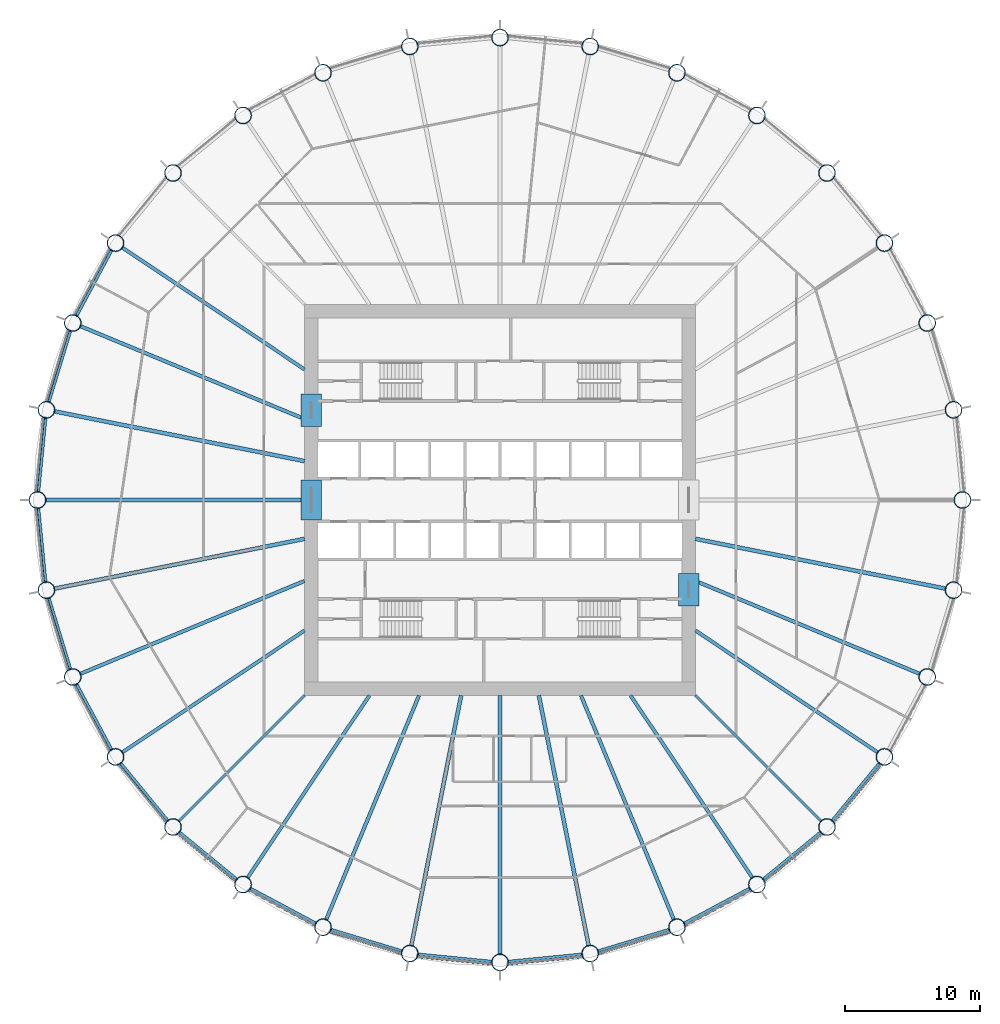
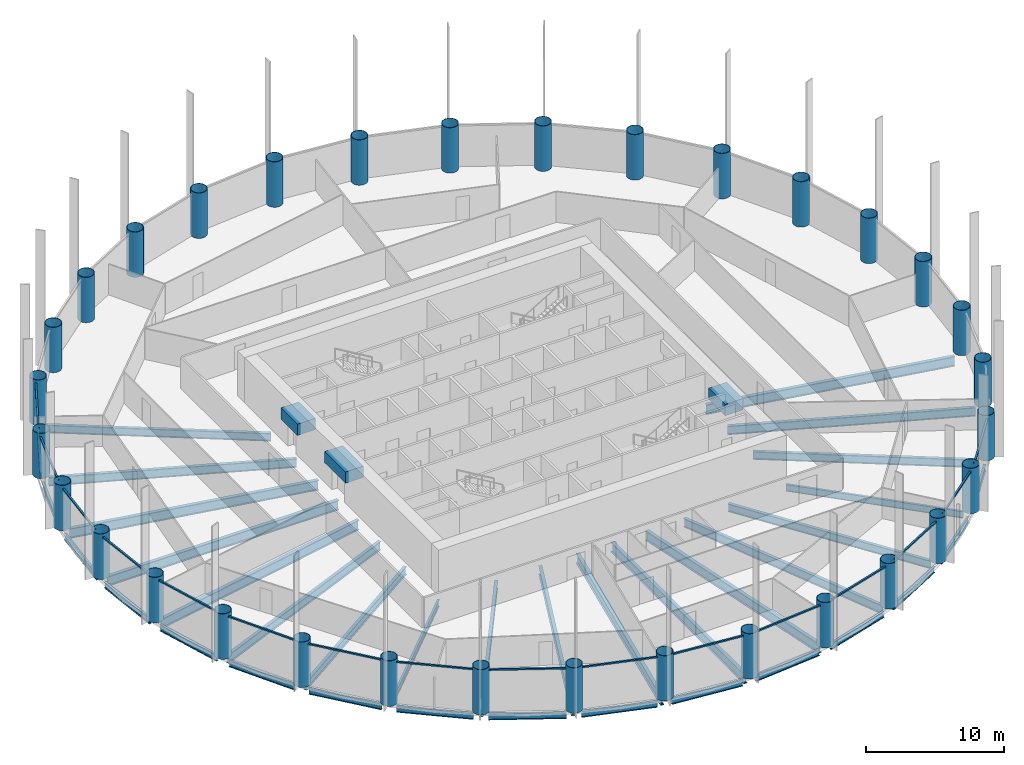
# One storey, part 1 of 10: 38 beams, 32 columns, 16 members, 16 elements without a shape of their own.
"""IFC4 building model written with IfcOpenShell, lengths in metres."""

from ifc_helpers import new_model, si_unit, direction, frame, origin, origin_2d, place, context, subcontext, project, spatial, rectangle, hollow_circle, i_section, extrude, material, material_profile, profile_set, type_object, element, aggregate, save


model = new_model("IFC4")

# Units and contexts
model_context = context("Model", 3, precision=1e-05, world=origin(), true_north=direction((0.0, 1.0)))
body_context = subcontext(model_context, "Body", "Model", "MODEL_VIEW")
ifc_project = project(units=[si_unit("LENGTHUNIT", "METRE"), si_unit("AREAUNIT", "SQUARE_METRE"), si_unit("VOLUMEUNIT", "CUBIC_METRE"), si_unit("PLANEANGLEUNIT", "RADIAN"), si_unit("MASSUNIT", "GRAM", prefix="KILO")], contexts=[model_context])

# Site, building, storey
site_placement = place(None, origin())
site = spatial("IfcSite", under=ifc_project, at=site_placement, CompositionType="ELEMENT")
building_placement = place(site_placement, origin())
building = spatial("IfcBuilding", under=site, at=building_placement, Name="Corvane Civic Tower", CompositionType="ELEMENT")
storey_placement = place(building_placement, frame((0.0, 0.0, 118.5)))
storey = spatial("IfcBuildingStorey", under=building, at=storey_placement, Name="L27", CompositionType="ELEMENT", Elevation=118.5)

# Columns
ifc_material_1 = material(Name="Steel ASTM A572 Gr 50", Category="steel")
ifc_material_profile_1 = material_profile(ifc_material_1, hollow_circle(Radius=0.625, WallThickness=0.035888671875, at=origin_2d()), Name="CHS1250X36")
ifc_profile_set_1 = profile_set([ifc_material_profile_1], Name="Steel ASTM A572 Gr 50")
column_type = type_object("IfcColumnType", Name="COMPOSITE COLUMN CHS1250X36", PredefinedType="COLUMN", material=ifc_profile_set_1)
for number, where, z_axis, x_axis, name in (
    (1, (0.0, 34.300048828125, 0.0), (0.0, 0.0, 1.0), (1.0, 0.0, 0.0), "COL-L27-B01"),
    (2, (6.691650390625, 33.640869140625, 0.0), (0.0, 0.0, 1.0), (1.0, 0.0, 0.0), "COL-L27-B02"),
    (3, (13.1259765625, 31.68896484375, 0.0), (0.0, 0.0, 1.0), (1.0, 0.0, 0.0), "COL-L27-B03"),
    (4, (19.05615234375, 28.519287109375, 0.0), (0.0, 0.0, 1.0), (1.0, 0.0, 0.0), "COL-L27-B04"),
    (5, (24.253662109375, 24.253662109375, 0.0), (0.0, 0.0, 1.0), (1.0, 0.0, 0.0), "COL-L27-B05"),
    (6, (28.519287109375, 19.05615234375, 0.0), (0.0, 0.0, 1.0), (1.0, 0.0, 0.0), "COL-L27-B06"),
    (7, (31.68896484375, 13.1259765625, 0.0), (0.0, 0.0, 1.0), (1.0, 0.0, 0.0), "COL-L27-B07"),
    (8, (33.640869140625, 6.691650390625, 0.0), (0.0, 0.0, 1.0), (1.0, 0.0, 0.0), "COL-L27-B08"),
    (9, (34.300048828125, 0.0, 0.0), (0.0, 0.0, 1.0), (1.0, 0.0, 0.0), "COL-L27-B09"),
    (10, (33.640869140625, -6.691650390625, 0.0), (0.0, 0.0, 1.0), (1.0, 0.0, 0.0), "COL-L27-B10"),
    (11, (31.68896484375, -13.1259765625, 0.0), (0.0, 0.0, 1.0), (1.0, 0.0, 0.0), "COL-L27-B11"),
    (12, (28.519287109375, -19.05615234375, 0.0), (0.0, 0.0, 1.0), (1.0, 0.0, 0.0), "COL-L27-B12"),
    (13, (24.253662109375, -24.253662109375, 0.0), (0.0, 0.0, 1.0), (1.0, 0.0, 0.0), "COL-L27-B13"),
    (14, (19.05615234375, -28.519287109375, 0.0), (0.0, 0.0, 1.0), (1.0, 0.0, 0.0), "COL-L27-B14"),
    (15, (13.1259765625, -31.68896484375, 0.0), (0.0, 0.0, 1.0), (1.0, 0.0, 0.0), "COL-L27-B15"),
    (16, (6.691650390625, -33.640869140625, 0.0), (0.0, 0.0, 1.0), (1.0, 0.0, 0.0), "COL-L27-B16"),
    (17, (0.0, -34.300048828125, 0.0), (0.0, 0.0, 1.0), (1.0, 0.0, 0.0), "COL-L27-B17"),
    (18, (-6.691650390625, -33.640869140625, 0.0), (0.0, 0.0, 1.0), (1.0, 0.0, 0.0), "COL-L27-B18"),
    (19, (-13.1259765625, -31.68896484375, 0.0), (0.0, 0.0, 1.0), (1.0, 0.0, 0.0), "COL-L27-B19"),
    (20, (-19.05615234375, -28.519287109375, 0.0), (0.0, 0.0, 1.0), (1.0, 0.0, 0.0), "COL-L27-B20"),
    (21, (-24.253662109375, -24.253662109375, 0.0), (0.0, 0.0, 1.0), (1.0, 0.0, 0.0), "COL-L27-B21"),
    (22, (-28.519287109375, -19.05615234375, 0.0), (0.0, 0.0, 1.0), (1.0, 0.0, 0.0), "COL-L27-B22"),
    (23, (-31.68896484375, -13.1259765625, 0.0), (0.0, 0.0, 1.0), (1.0, 0.0, 0.0), "COL-L27-B23"),
    (24, (-33.640869140625, -6.691650390625, 0.0), (0.0, 0.0, 1.0), (1.0, 0.0, 0.0), "COL-L27-B24"),
    (25, (-34.300048828125, 0.0, 0.0), (0.0, 0.0, 1.0), (1.0, 0.0, 0.0), "COL-L27-B25"),
    (26, (-33.640869140625, 6.691650390625, 0.0), (0.0, 0.0, 1.0), (1.0, 0.0, 0.0), "COL-L27-B26"),
    (27, (-31.68896484375, 13.1259765625, 0.0), (0.0, 0.0, 1.0), (1.0, 0.0, 0.0), "COL-L27-B27"),
    (28, (-28.519287109375, 19.05615234375, 0.0), (0.0, 0.0, 1.0), (1.0, 0.0, 0.0), "COL-L27-B28"),
    (29, (-24.253662109375, 24.253662109375, 0.0), (0.0, 0.0, 1.0), (1.0, 0.0, 0.0), "COL-L27-B29"),
    (30, (-19.05615234375, 28.519287109375, 0.0), (0.0, 0.0, 1.0), (1.0, 0.0, 0.0), "COL-L27-B30"),
    (31, (-13.1259765625, 31.68896484375, 0.0), (0.0, 0.0, 1.0), (1.0, 0.0, 0.0), "COL-L27-B31"),
    (32, (-6.691650390625, 33.640869140625, 0.0), (0.0, 0.0, 1.0), (1.0, 0.0, 0.0), "COL-L27-B32"),
):
    element("IfcColumn", number, at=place(storey_placement, frame(where, z_axis=z_axis, x_axis=x_axis)), inside=storey, type_object=column_type, Name=name, PredefinedType="COLUMN", context=body_context, shape_type="SweptSolid", body=[
        extrude(hollow_circle(Radius=0.625, WallThickness=0.035888671875, at=origin_2d()), origin(), (0.0, 0.0, 1.0), 4.0),
    ])

# Beams
ifc_material_2 = material(Name="Concrete C70/85", Category="concrete")
ifc_material_profile_2 = material_profile(ifc_material_2, rectangle(XDim=1.5, YDim=1.0, at=origin_2d()), Name="COUPLING BEAM 1500X1000")
ifc_profile_set_2 = profile_set([ifc_material_profile_2], Name="Concrete C70/85")
beam_type_1 = type_object("IfcBeamType", Name="COUPLING BEAM COUPLING BEAM 1500X1000", PredefinedType="BEAM", material=ifc_profile_set_2)
beam_1_placement = place(storey_placement, frame((-14.0, -1.5, 2.60009765625), z_axis=(0.0, 1.0, 0.0), x_axis=(-1.0, 0.0, 0.0)))
element("IfcBeam", 33, at=beam_1_placement, inside=storey, type_object=beam_type_1, Name="BM-L27-cpl-CW-LW", PredefinedType="BEAM", context=body_context, shape_type="SweptSolid", body=[
    extrude(rectangle(XDim=1.5, YDim=1.0, at=origin_2d()), origin(), (0.0, 0.0, 1.0), 3.0),
])
for number, where, z_axis, x_axis, name in (
    (34, (-14.0, 5.449951171875, 2.60009765625), (0.0, 1.0, 0.0), (-1.0, 0.0, 0.0), "BM-L27-cpl-CW-WN"),
    (35, (14.0, -7.85009765625, 2.60009765625), (0.0, 1.0, 0.0), (-1.0, 0.0, 0.0), "BM-L27-cpl-CW-ES"),
):
    element("IfcBeam", number, at=place(storey_placement, frame(where, z_axis=z_axis, x_axis=x_axis)), inside=storey, type_object=beam_type_1, Name=name, PredefinedType="BEAM", context=body_context, shape_type="SweptSolid", body=[
        extrude(rectangle(XDim=1.5, YDim=1.0, at=origin_2d()), origin(), (0.0, 0.0, 1.0), 2.400146484375),
    ])
ifc_material_3 = material(Name="Steel ASTM A992 Gr 50", Category="steel")
ifc_material_profile_3 = material_profile(ifc_material_3, i_section(OverallWidth=0.209228515625, OverallDepth=0.533447265625, WebThickness=0.01025390625, FlangeThickness=0.015625, at=origin_2d()), Name="W21X62")
ifc_profile_set_3 = profile_set([ifc_material_profile_3], Name="Steel ASTM A992 Gr 50")
beam_type_2 = type_object("IfcBeamType", Name="EDGE BEAM W21X62", PredefinedType="BEAM", material=ifc_profile_set_3)
for number, where, z_axis, x_axis, name in (
    (36, (28.17041015625, -19.481201171875, -0.566650390625), (-0.634397765782, -0.773006775372, 0.0), (0.773006775372, -0.634397765782, 0.0), "BM-L27-E12"),
    (37, (23.82861328125, -24.6025390625, -0.566650390625), (-0.773006775372, -0.634397765782, 0.0), (0.634397765782, -0.773006775372, 0.0), "BM-L27-E13"),
    (38, (18.571044921875, -28.778564453125, -0.566650390625), (-0.88192357867, -0.471392407008, 0.0), (0.471392407008, -0.88192357867, 0.0), "BM-L27-E14"),
):
    element("IfcBeam", number, at=place(storey_placement, frame(where, z_axis=z_axis, x_axis=x_axis)), inside=storey, type_object=beam_type_2, Name=name, PredefinedType="BEAM", context=body_context, shape_type="SweptSolid", body=[
        extrude(i_section(OverallWidth=0.209228515625, OverallDepth=0.533447265625, WebThickness=0.01025390625, FlangeThickness=0.015625, at=origin_2d()), origin(), (0.0, 0.0, 1.0), 5.6240234375),
    ])
beam_2_placement = place(storey_placement, frame((12.599609375, -31.8486328125, -0.566650390625), z_axis=(-0.956936367498, -0.290297758448, 0.0), x_axis=(0.290297758448, -0.956936367498, 0.0)))
element("IfcBeam", 39, at=beam_2_placement, inside=storey, type_object=beam_type_2, Name="BM-L27-E15", PredefinedType="BEAM", context=body_context, shape_type="SweptSolid", body=[
    extrude(i_section(OverallWidth=0.209228515625, OverallDepth=0.533447265625, WebThickness=0.01025390625, FlangeThickness=0.015625, at=origin_2d()), origin(), (0.0, 0.0, 1.0), 5.623779296875),
])
for number, where, z_axis, x_axis, name in (
    (40, (6.144287109375, -33.69482421875, -0.566650390625), (-0.995184368522, -0.098020776625, 0.0), (0.098020776625, -0.995184368522, 0.0), "BM-L27-E16"),
    (41, (-0.54736328125, -34.24609375, -0.566650390625), (-0.995184368522, 0.098020776625, 0.0), (-0.098020776625, -0.995184368522, 0.0), "BM-L27-E17"),
):
    element("IfcBeam", number, at=place(storey_placement, frame(where, z_axis=z_axis, x_axis=x_axis)), inside=storey, type_object=beam_type_2, Name=name, PredefinedType="BEAM", context=body_context, shape_type="SweptSolid", body=[
        extrude(i_section(OverallWidth=0.209228515625, OverallDepth=0.533447265625, WebThickness=0.01025390625, FlangeThickness=0.015625, at=origin_2d()), origin(), (0.0, 0.0, 1.0), 5.6240234375),
    ])
beam_3_placement = place(storey_placement, frame((-7.218017578125, -33.481201171875, -0.566650390625), z_axis=(-0.956936367498, 0.290297758448, 0.0), x_axis=(-0.290297758448, -0.956936367498, 0.0)))
element("IfcBeam", 42, at=beam_3_placement, inside=storey, type_object=beam_type_2, Name="BM-L27-E18", PredefinedType="BEAM", context=body_context, shape_type="SweptSolid", body=[
    extrude(i_section(OverallWidth=0.209228515625, OverallDepth=0.533447265625, WebThickness=0.01025390625, FlangeThickness=0.015625, at=origin_2d()), origin(), (0.0, 0.0, 1.0), 5.623779296875),
])
for number, where, z_axis, x_axis, name in (
    (43, (-13.611083984375, -31.4296875, -0.566650390625), (-0.88192357867, 0.471392407008, 0.0), (-0.471392407008, -0.88192357867, 0.0), "BM-L27-E19"),
    (44, (-19.481201171875, -28.17041015625, -0.566650390625), (-0.773006775372, 0.634397765782, 0.0), (-0.634397765782, -0.773006775372, 0.0), "BM-L27-E20"),
    (45, (-24.6025390625, -23.82861328125, -0.566650390625), (-0.634397765782, 0.773006775372, 0.0), (-0.773006775372, -0.634397765782, 0.0), "BM-L27-E21"),
    (46, (-28.778564453125, -18.571044921875, -0.566650390625), (-0.471392407008, 0.88192357867, 0.0), (-0.88192357867, -0.471392407008, 0.0), "BM-L27-E22"),
):
    element("IfcBeam", number, at=place(storey_placement, frame(where, z_axis=z_axis, x_axis=x_axis)), inside=storey, type_object=beam_type_2, Name=name, PredefinedType="BEAM", context=body_context, shape_type="SweptSolid", body=[
        extrude(i_section(OverallWidth=0.209228515625, OverallDepth=0.533447265625, WebThickness=0.01025390625, FlangeThickness=0.015625, at=origin_2d()), origin(), (0.0, 0.0, 1.0), 5.6240234375),
    ])
beam_4_placement = place(storey_placement, frame((-31.8486328125, -12.599609375, -0.566650390625), z_axis=(-0.290297758448, 0.956936367498, 0.0), x_axis=(-0.956936367498, -0.290297758448, 0.0)))
element("IfcBeam", 47, at=beam_4_placement, inside=storey, type_object=beam_type_2, Name="BM-L27-E23", PredefinedType="BEAM", context=body_context, shape_type="SweptSolid", body=[
    extrude(i_section(OverallWidth=0.209228515625, OverallDepth=0.533447265625, WebThickness=0.01025390625, FlangeThickness=0.015625, at=origin_2d()), origin(), (0.0, 0.0, 1.0), 5.623779296875),
])
for number, where, z_axis, x_axis, name in (
    (48, (-33.69482421875, -6.144287109375, -0.566650390625), (-0.098020776625, 0.995184368522, 0.0), (-0.995184368522, -0.098020776625, 0.0), "BM-L27-E24"),
    (49, (-34.24609375, 0.54736328125, -0.566650390625), (0.098020776625, 0.995184368522, 0.0), (-0.995184368522, 0.098020776625, 0.0), "BM-L27-E25"),
):
    element("IfcBeam", number, at=place(storey_placement, frame(where, z_axis=z_axis, x_axis=x_axis)), inside=storey, type_object=beam_type_2, Name=name, PredefinedType="BEAM", context=body_context, shape_type="SweptSolid", body=[
        extrude(i_section(OverallWidth=0.209228515625, OverallDepth=0.533447265625, WebThickness=0.01025390625, FlangeThickness=0.015625, at=origin_2d()), origin(), (0.0, 0.0, 1.0), 5.6240234375),
    ])
beam_5_placement = place(storey_placement, frame((-33.481201171875, 7.218017578125, -0.566650390625), z_axis=(0.290297758448, 0.956936367498, 0.0), x_axis=(-0.956936367498, 0.290297758448, 0.0)))
element("IfcBeam", 50, at=beam_5_placement, inside=storey, type_object=beam_type_2, Name="BM-L27-E26", PredefinedType="BEAM", context=body_context, shape_type="SweptSolid", body=[
    extrude(i_section(OverallWidth=0.209228515625, OverallDepth=0.533447265625, WebThickness=0.01025390625, FlangeThickness=0.015625, at=origin_2d()), origin(), (0.0, 0.0, 1.0), 5.623779296875),
])
beam_6_placement = place(storey_placement, frame((-31.4296875, 13.611083984375, -0.566650390625), z_axis=(0.471392407008, 0.88192357867, 0.0), x_axis=(-0.88192357867, 0.471392407008, 0.0)))
element("IfcBeam", 51, at=beam_6_placement, inside=storey, type_object=beam_type_2, Name="BM-L27-E27", PredefinedType="BEAM", context=body_context, shape_type="SweptSolid", body=[
    extrude(i_section(OverallWidth=0.209228515625, OverallDepth=0.533447265625, WebThickness=0.01025390625, FlangeThickness=0.015625, at=origin_2d()), origin(), (0.0, 0.0, 1.0), 5.6240234375),
])
ifc_material_4 = material(Name="Steel ASTM A992 Gr 50", Category="steel")
ifc_material_profile_4 = material_profile(ifc_material_4, i_section(OverallWidth=0.177978515625, OverallDepth=0.599365234375, WebThickness=0.010009765625, FlangeThickness=0.012939453125, at=origin_2d()), Name="W24X55")
ifc_profile_set_4 = profile_set([ifc_material_profile_4], Name="Steel ASTM A992 Gr 50")
beam_type_3 = type_object("IfcBeamType", Name="FLOOR GIRDER W24X55", PredefinedType="BEAM", material=ifc_profile_set_4)
for number, where, z_axis, x_axis, name in (
    (52, (14.5, -14.5, -0.599609375), (0.707106781187, -0.707106781187, 0.0), (0.707106781187, 0.707106781187, 0.0), "BM-L27-G13"),
    (53, (-14.5, -14.5, -0.599609375), (-0.707106781187, -0.707106781187, 0.0), (0.707106781187, -0.707106781187, 0.0), "BM-L27-G21"),
):
    element("IfcBeam", number, at=place(storey_placement, frame(where, z_axis=z_axis, x_axis=x_axis)), inside=storey, type_object=beam_type_3, Name=name, PredefinedType="BEAM", context=body_context, shape_type="SweptSolid", body=[
        extrude(i_section(OverallWidth=0.177978515625, OverallDepth=0.599365234375, WebThickness=0.010009765625, FlangeThickness=0.012939453125, at=origin_2d()), origin(), (0.0, 0.0, 1.0), 13.24365234375),
    ])
ifc_material_5 = material(Name="Steel ASTM A992 Gr 50", Category="steel")
ifc_material_profile_5 = material_profile(ifc_material_5, i_section(OverallWidth=0.256591796875, OverallDepth=0.693359375, WebThickness=0.014404296875, FlangeThickness=0.023681640625, at=origin_2d()), Name="W27X114")
ifc_profile_set_5 = profile_set([ifc_material_profile_5], Name="Steel ASTM A992 Gr 50")
beam_type_4 = type_object("IfcBeamType", Name="FLOOR GIRDER W27X114", PredefinedType="BEAM", material=ifc_profile_set_5)
for number, where, z_axis, x_axis, name in (
    (54, (14.5, -9.6884765625, -0.646728515625), (0.83146493365, -0.555577235054, 0.0), (0.555577235054, 0.83146493365, 0.0), "BM-L27-G12"),
    (55, (9.6884765625, -14.5, -0.646728515625), (0.555577235054, -0.83146493365, 0.0), (0.83146493365, 0.555577235054, 0.0), "BM-L27-G14"),
    (56, (-9.6884765625, -14.5, -0.646728515625), (-0.555577235054, -0.83146493365, 0.0), (0.83146493365, -0.555577235054, 0.0), "BM-L27-G20"),
    (57, (-14.5, -9.6884765625, -0.646728515625), (-0.83146493365, -0.555577235054, 0.0), (0.555577235054, -0.83146493365, 0.0), "BM-L27-G22"),
    (58, (-14.5, 9.6884765625, -0.646728515625), (-0.83146493365, 0.555577235054, 0.0), (-0.555577235054, -0.83146493365, 0.0), "BM-L27-G28"),
):
    element("IfcBeam", number, at=place(storey_placement, frame(where, z_axis=z_axis, x_axis=x_axis)), inside=storey, type_object=beam_type_4, Name=name, PredefinedType="BEAM", context=body_context, shape_type="SweptSolid", body=[
        extrude(i_section(OverallWidth=0.256591796875, OverallDepth=0.693359375, WebThickness=0.014404296875, FlangeThickness=0.023681640625, at=origin_2d()), origin(), (0.0, 0.0, 1.0), 16.31103515625),
    ])
ifc_material_6 = material(Name="Steel ASTM A992 Gr 50", Category="steel")
ifc_material_profile_6 = material_profile(ifc_material_6, i_section(OverallWidth=0.2666015625, OverallDepth=0.7568359375, WebThickness=0.013916015625, FlangeThickness=0.019287109375, at=origin_2d()), Name="W30X108")
ifc_profile_set_6 = profile_set([ifc_material_profile_6], Name="Steel ASTM A992 Gr 50")
beam_type_5 = type_object("IfcBeamType", Name="FLOOR GIRDER W30X108", PredefinedType="BEAM", material=ifc_profile_set_6)
for number, where, z_axis, x_axis, name in (
    (59, (14.5, -6.006103515625, -0.678466796875), (0.923880209691, -0.382681797504, 0.0), (0.382681797504, 0.923880209691, 0.0), "BM-L27-G11"),
    (60, (6.006103515625, -14.5, -0.678466796875), (0.382681797504, -0.923880209691, 0.0), (0.923880209691, 0.382681797504, 0.0), "BM-L27-G15"),
    (61, (-6.006103515625, -14.5, -0.678466796875), (-0.382681797504, -0.923880209691, 0.0), (0.923880209691, -0.382681797504, 0.0), "BM-L27-G19"),
    (62, (-14.5, -6.006103515625, -0.678466796875), (-0.923880209691, -0.382681797504, 0.0), (0.382681797504, -0.923880209691, 0.0), "BM-L27-G23"),
    (63, (-14.5, 6.006103515625, -0.678466796875), (-0.923880209691, 0.382681797504, 0.0), (-0.382681797504, -0.923880209691, 0.0), "BM-L27-G27"),
):
    element("IfcBeam", number, at=place(storey_placement, frame(where, z_axis=z_axis, x_axis=x_axis)), inside=storey, type_object=beam_type_5, Name=name, PredefinedType="BEAM", context=body_context, shape_type="SweptSolid", body=[
        extrude(i_section(OverallWidth=0.2666015625, OverallDepth=0.7568359375, WebThickness=0.013916015625, FlangeThickness=0.019287109375, at=origin_2d()), origin(), (0.0, 0.0, 1.0), 18.05517578125),
    ])
ifc_material_7 = material(Name="Steel ASTM A992 Gr 50", Category="steel")
ifc_material_profile_7 = material_profile(ifc_material_7, i_section(OverallWidth=0.2919921875, OverallDepth=0.8583984375, WebThickness=0.01708984375, FlangeThickness=0.031005859375, at=origin_2d()), Name="W33X169")
ifc_profile_set_7 = profile_set([ifc_material_profile_7], Name="Steel ASTM A992 Gr 50")
beam_type_6 = type_object("IfcBeamType", Name="FLOOR GIRDER W33X169", PredefinedType="BEAM", material=ifc_profile_set_7)
for number, where, z_axis, x_axis, name in (
    (64, (14.5, -2.88427734375, -0.729248046875), (0.9807865885, -0.195083745652, 0.0), (0.195083745652, 0.9807865885, 0.0), "BM-L27-G10"),
    (65, (2.88427734375, -14.5, -0.729248046875), (0.195083745652, -0.9807865885, 0.0), (0.9807865885, 0.195083745652, 0.0), "BM-L27-G16"),
):
    element("IfcBeam", number, at=place(storey_placement, frame(where, z_axis=z_axis, x_axis=x_axis)), inside=storey, type_object=beam_type_6, Name=name, PredefinedType="BEAM", context=body_context, shape_type="SweptSolid", body=[
        extrude(i_section(OverallWidth=0.2919921875, OverallDepth=0.8583984375, WebThickness=0.01708984375, FlangeThickness=0.031005859375, at=origin_2d()), origin(), (0.0, 0.0, 1.0), 18.966064453125),
    ])
beam_7_placement = place(storey_placement, frame((0.0, -14.5, -0.729248046875), z_axis=(0.0, -1.0, 0.0), x_axis=(1.0, 0.0, 0.0)))
element("IfcBeam", 66, at=beam_7_placement, inside=storey, type_object=beam_type_6, Name="BM-L27-G17", PredefinedType="BEAM", context=body_context, shape_type="SweptSolid", body=[
    extrude(i_section(OverallWidth=0.2919921875, OverallDepth=0.8583984375, WebThickness=0.01708984375, FlangeThickness=0.031005859375, at=origin_2d()), origin(), (0.0, 0.0, 1.0), 19.25),
])
for number, where, z_axis, x_axis, name in (
    (67, (-2.88427734375, -14.5, -0.729248046875), (-0.195083745652, -0.9807865885, 0.0), (0.9807865885, -0.195083745652, 0.0), "BM-L27-G18"),
    (68, (-14.5, -2.88427734375, -0.729248046875), (-0.9807865885, -0.195083745652, 0.0), (0.195083745652, -0.9807865885, 0.0), "BM-L27-G24"),
):
    element("IfcBeam", number, at=place(storey_placement, frame(where, z_axis=z_axis, x_axis=x_axis)), inside=storey, type_object=beam_type_6, Name=name, PredefinedType="BEAM", context=body_context, shape_type="SweptSolid", body=[
        extrude(i_section(OverallWidth=0.2919921875, OverallDepth=0.8583984375, WebThickness=0.01708984375, FlangeThickness=0.031005859375, at=origin_2d()), origin(), (0.0, 0.0, 1.0), 18.966064453125),
    ])
beam_8_placement = place(storey_placement, frame((-14.5, 0.0, -0.729248046875), z_axis=(-1.0, 0.0, 0.0), x_axis=(0.0, -1.0, 0.0)))
element("IfcBeam", 69, at=beam_8_placement, inside=storey, type_object=beam_type_6, Name="BM-L27-G25", PredefinedType="BEAM", context=body_context, shape_type="SweptSolid", body=[
    extrude(i_section(OverallWidth=0.2919921875, OverallDepth=0.8583984375, WebThickness=0.01708984375, FlangeThickness=0.031005859375, at=origin_2d()), origin(), (0.0, 0.0, 1.0), 19.25),
])
beam_9_placement = place(storey_placement, frame((-14.5, 2.88427734375, -0.729248046875), z_axis=(-0.9807865885, 0.195083745652, 0.0), x_axis=(-0.195083745652, -0.9807865885, 0.0)))
element("IfcBeam", 70, at=beam_9_placement, inside=storey, type_object=beam_type_6, Name="BM-L27-G26", PredefinedType="BEAM", context=body_context, shape_type="SweptSolid", body=[
    extrude(i_section(OverallWidth=0.2919921875, OverallDepth=0.8583984375, WebThickness=0.01708984375, FlangeThickness=0.031005859375, at=origin_2d()), origin(), (0.0, 0.0, 1.0), 18.966064453125),
])

# Curtain wall, member
ifc_material_8 = material(Name="Anodised aluminium bronze", Category="aluminium")
curtain_wall_type = type_object("IfcCurtainWallType", Name="TOWER CW-T1 STICK CURTAIN WALL", PredefinedType="NOTDEFINED", material=ifc_material_8)
curtain_wall_1_placement = place(storey_placement, origin())
curtain_wall_1 = element("IfcCurtainWall", 71, at=curtain_wall_1_placement, inside=storey, type_object=curtain_wall_type, Name="Curtain wall CW-T1 L27 bay 12", PredefinedType="NOTDEFINED")
ifc_material_9 = material(Name="Anodised aluminium bronze", Category="aluminium")
ifc_material_profile_8 = material_profile(ifc_material_9, rectangle(XDim=0.139892578125, YDim=0.1201171875, at=origin_2d()), Name="TOWER CW-T1 TRANSOM 140x120")
ifc_profile_set_8 = profile_set([ifc_material_profile_8], Name="Anodised aluminium bronze")
member_type = type_object("IfcMemberType", Name="TOWER CW-T1 TRANSOM 140x120", PredefinedType="USERDEFINED", material=ifc_profile_set_8)
member_1_placement = place(storey_placement, frame((28.297119140625, -19.609619140625, 3.68994140625), z_axis=(-0.634410369295, -0.772996431642, 0.0), x_axis=(0.772996431642, -0.634410369295, 0.0)))
member_1 = element("IfcMember", 72, at=member_1_placement, type_object=member_type, Name="Transom CW-T1 L27 12.1", ObjectType="TRANSOM", PredefinedType="USERDEFINED", context=body_context, shape_type="SweptSolid", body=[
    extrude(rectangle(XDim=0.139892578125, YDim=0.1201171875, at=origin_2d()), origin(), (0.0, 0.0, 1.0), 5.586181640625),
])
aggregate(curtain_wall_1, [member_1])

curtain_wall_2_placement = place(storey_placement, origin())
curtain_wall_2 = element("IfcCurtainWall", 73, at=curtain_wall_2_placement, inside=storey, type_object=curtain_wall_type, Name="Curtain wall CW-T1 L27 bay 13", PredefinedType="NOTDEFINED")
member_2_placement = place(storey_placement, frame((23.927734375, -24.753173828125, 3.68994140625), z_axis=(-0.772996431642, -0.634410369295, 0.0), x_axis=(0.634410369295, -0.772996431642, 0.0)))
member_2 = element("IfcMember", 74, at=member_2_placement, type_object=member_type, Name="Transom CW-T1 L27 13.1", ObjectType="TRANSOM", PredefinedType="USERDEFINED", context=body_context, shape_type="SweptSolid", body=[
    extrude(rectangle(XDim=0.139892578125, YDim=0.1201171875, at=origin_2d()), origin(), (0.0, 0.0, 1.0), 5.586181640625),
])
aggregate(curtain_wall_2, [member_2])

curtain_wall_3_placement = place(storey_placement, origin())
curtain_wall_3 = element("IfcCurtainWall", 75, at=curtain_wall_3_placement, inside=storey, type_object=curtain_wall_type, Name="Curtain wall CW-T1 L27 bay 14", PredefinedType="NOTDEFINED")
member_3_placement = place(storey_placement, frame((18.63916015625, -28.945556640625, 3.68994140625), z_axis=(-0.881920705407, -0.47139778253, 0.0), x_axis=(0.47139778253, -0.881920705407, 0.0)))
member_3 = element("IfcMember", 76, at=member_3_placement, type_object=member_type, Name="Transom CW-T1 L27 14.1", ObjectType="TRANSOM", PredefinedType="USERDEFINED", context=body_context, shape_type="SweptSolid", body=[
    extrude(rectangle(XDim=0.139892578125, YDim=0.1201171875, at=origin_2d()), origin(), (0.0, 0.0, 1.0), 5.586669921875),
])
aggregate(curtain_wall_3, [member_3])

curtain_wall_4_placement = place(storey_placement, origin())
curtain_wall_4 = element("IfcCurtainWall", 77, at=curtain_wall_4_placement, inside=storey, type_object=curtain_wall_type, Name="Curtain wall CW-T1 L27 bay 15", PredefinedType="NOTDEFINED")
member_4_placement = place(storey_placement, frame((12.6337890625, -32.025634765625, 3.68994140625), z_axis=(-0.956944977029, -0.290269376509, 0.0), x_axis=(0.290269376509, -0.956944977029, 0.0)))
member_4 = element("IfcMember", 78, at=member_4_placement, type_object=member_type, Name="Transom CW-T1 L27 15.1", ObjectType="TRANSOM", PredefinedType="USERDEFINED", context=body_context, shape_type="SweptSolid", body=[
    extrude(rectangle(XDim=0.139892578125, YDim=0.1201171875, at=origin_2d()), origin(), (0.0, 0.0, 1.0), 5.58642578125),
])
aggregate(curtain_wall_4, [member_4])

curtain_wall_5_placement = place(storey_placement, origin())
curtain_wall_5 = element("IfcCurtainWall", 79, at=curtain_wall_5_placement, inside=storey, type_object=curtain_wall_type, Name="Curtain wall CW-T1 L27 bay 16", PredefinedType="NOTDEFINED")
member_5_placement = place(storey_placement, frame((6.14306640625, -33.874755859375, 3.68994140625), z_axis=(-0.995179807033, -0.098067077419, 0.0), x_axis=(0.098067077419, -0.995179807033, 0.0)))
member_5 = element("IfcMember", 80, at=member_5_placement, type_object=member_type, Name="Transom CW-T1 L27 16.1", ObjectType="TRANSOM", PredefinedType="USERDEFINED", context=body_context, shape_type="SweptSolid", body=[
    extrude(rectangle(XDim=0.139892578125, YDim=0.1201171875, at=origin_2d()), origin(), (0.0, 0.0, 1.0), 5.58642578125),
])
aggregate(curtain_wall_5, [member_5])

curtain_wall_6_placement = place(storey_placement, origin())
curtain_wall_6 = element("IfcCurtainWall", 81, at=curtain_wall_6_placement, inside=storey, type_object=curtain_wall_type, Name="Curtain wall CW-T1 L27 bay 17", PredefinedType="NOTDEFINED")
member_6_placement = place(storey_placement, frame((-0.58349609375, -34.422607421875, 3.68994140625), z_axis=(-0.995179807033, 0.098067077419, 0.0), x_axis=(-0.098067077419, -0.995179807033, 0.0)))
member_6 = element("IfcMember", 82, at=member_6_placement, type_object=member_type, Name="Transom CW-T1 L27 17.1", ObjectType="TRANSOM", PredefinedType="USERDEFINED", context=body_context, shape_type="SweptSolid", body=[
    extrude(rectangle(XDim=0.139892578125, YDim=0.1201171875, at=origin_2d()), origin(), (0.0, 0.0, 1.0), 5.58642578125),
])
aggregate(curtain_wall_6, [member_6])

curtain_wall_7_placement = place(storey_placement, origin())
curtain_wall_7 = element("IfcCurtainWall", 83, at=curtain_wall_7_placement, inside=storey, type_object=curtain_wall_type, Name="Curtain wall CW-T1 L27 bay 18", PredefinedType="NOTDEFINED")
member_7_placement = place(storey_placement, frame((-7.287841796875, -33.647216796875, 3.68994140625), z_axis=(-0.956944977029, 0.290269376509, 0.0), x_axis=(-0.290269376509, -0.956944977029, 0.0)))
member_7 = element("IfcMember", 84, at=member_7_placement, type_object=member_type, Name="Transom CW-T1 L27 18.1", ObjectType="TRANSOM", PredefinedType="USERDEFINED", context=body_context, shape_type="SweptSolid", body=[
    extrude(rectangle(XDim=0.139892578125, YDim=0.1201171875, at=origin_2d()), origin(), (0.0, 0.0, 1.0), 5.58642578125),
])
aggregate(curtain_wall_7, [member_7])

curtain_wall_8_placement = place(storey_placement, origin())
curtain_wall_8 = element("IfcCurtainWall", 85, at=curtain_wall_8_placement, inside=storey, type_object=curtain_wall_type, Name="Curtain wall CW-T1 L27 bay 19", PredefinedType="NOTDEFINED")
member_8_placement = place(storey_placement, frame((-13.712158203125, -31.5791015625, 3.68994140625), z_axis=(-0.881920705407, 0.47139778253, 0.0), x_axis=(-0.47139778253, -0.881920705407, 0.0)))
member_8 = element("IfcMember", 86, at=member_8_placement, type_object=member_type, Name="Transom CW-T1 L27 19.1", ObjectType="TRANSOM", PredefinedType="USERDEFINED", context=body_context, shape_type="SweptSolid", body=[
    extrude(rectangle(XDim=0.139892578125, YDim=0.1201171875, at=origin_2d()), origin(), (0.0, 0.0, 1.0), 5.586669921875),
])
aggregate(curtain_wall_8, [member_8])

curtain_wall_9_placement = place(storey_placement, origin())
curtain_wall_9 = element("IfcCurtainWall", 87, at=curtain_wall_9_placement, inside=storey, type_object=curtain_wall_type, Name="Curtain wall CW-T1 L27 bay 20", PredefinedType="NOTDEFINED")
member_9_placement = place(storey_placement, frame((-19.609619140625, -28.297119140625, 3.68994140625), z_axis=(-0.772996431642, 0.634410369295, 0.0), x_axis=(-0.634410369295, -0.772996431642, 0.0)))
member_9 = element("IfcMember", 88, at=member_9_placement, type_object=member_type, Name="Transom CW-T1 L27 20.1", ObjectType="TRANSOM", PredefinedType="USERDEFINED", context=body_context, shape_type="SweptSolid", body=[
    extrude(rectangle(XDim=0.139892578125, YDim=0.1201171875, at=origin_2d()), origin(), (0.0, 0.0, 1.0), 5.586181640625),
])
aggregate(curtain_wall_9, [member_9])

curtain_wall_10_placement = place(storey_placement, origin())
curtain_wall_10 = element("IfcCurtainWall", 89, at=curtain_wall_10_placement, inside=storey, type_object=curtain_wall_type, Name="Curtain wall CW-T1 L27 bay 21", PredefinedType="NOTDEFINED")
member_10_placement = place(storey_placement, frame((-24.753173828125, -23.927734375, 3.68994140625), z_axis=(-0.634410369295, 0.772996431642, 0.0), x_axis=(-0.772996431642, -0.634410369295, 0.0)))
member_10 = element("IfcMember", 90, at=member_10_placement, type_object=member_type, Name="Transom CW-T1 L27 21.1", ObjectType="TRANSOM", PredefinedType="USERDEFINED", context=body_context, shape_type="SweptSolid", body=[
    extrude(rectangle(XDim=0.139892578125, YDim=0.1201171875, at=origin_2d()), origin(), (0.0, 0.0, 1.0), 5.586181640625),
])
aggregate(curtain_wall_10, [member_10])

curtain_wall_11_placement = place(storey_placement, origin())
curtain_wall_11 = element("IfcCurtainWall", 91, at=curtain_wall_11_placement, inside=storey, type_object=curtain_wall_type, Name="Curtain wall CW-T1 L27 bay 22", PredefinedType="NOTDEFINED")
member_11_placement = place(storey_placement, frame((-28.945556640625, -18.63916015625, 3.68994140625), z_axis=(-0.47139778253, 0.881920705407, 0.0), x_axis=(-0.881920705407, -0.47139778253, 0.0)))
member_11 = element("IfcMember", 92, at=member_11_placement, type_object=member_type, Name="Transom CW-T1 L27 22.1", ObjectType="TRANSOM", PredefinedType="USERDEFINED", context=body_context, shape_type="SweptSolid", body=[
    extrude(rectangle(XDim=0.139892578125, YDim=0.1201171875, at=origin_2d()), origin(), (0.0, 0.0, 1.0), 5.586669921875),
])
aggregate(curtain_wall_11, [member_11])

curtain_wall_12_placement = place(storey_placement, origin())
curtain_wall_12 = element("IfcCurtainWall", 93, at=curtain_wall_12_placement, inside=storey, type_object=curtain_wall_type, Name="Curtain wall CW-T1 L27 bay 23", PredefinedType="NOTDEFINED")
member_12_placement = place(storey_placement, frame((-32.025634765625, -12.6337890625, 3.68994140625), z_axis=(-0.290269376509, 0.956944977029, 0.0), x_axis=(-0.956944977029, -0.290269376509, 0.0)))
member_12 = element("IfcMember", 94, at=member_12_placement, type_object=member_type, Name="Transom CW-T1 L27 23.1", ObjectType="TRANSOM", PredefinedType="USERDEFINED", context=body_context, shape_type="SweptSolid", body=[
    extrude(rectangle(XDim=0.139892578125, YDim=0.1201171875, at=origin_2d()), origin(), (0.0, 0.0, 1.0), 5.58642578125),
])
aggregate(curtain_wall_12, [member_12])

curtain_wall_13_placement = place(storey_placement, origin())
curtain_wall_13 = element("IfcCurtainWall", 95, at=curtain_wall_13_placement, inside=storey, type_object=curtain_wall_type, Name="Curtain wall CW-T1 L27 bay 24", PredefinedType="NOTDEFINED")
member_13_placement = place(storey_placement, frame((-33.874755859375, -6.14306640625, 3.68994140625), z_axis=(-0.098067077419, 0.995179807033, 0.0), x_axis=(-0.995179807033, -0.098067077419, 0.0)))
member_13 = element("IfcMember", 96, at=member_13_placement, type_object=member_type, Name="Transom CW-T1 L27 24.1", ObjectType="TRANSOM", PredefinedType="USERDEFINED", context=body_context, shape_type="SweptSolid", body=[
    extrude(rectangle(XDim=0.139892578125, YDim=0.1201171875, at=origin_2d()), origin(), (0.0, 0.0, 1.0), 5.58642578125),
])
aggregate(curtain_wall_13, [member_13])

curtain_wall_14_placement = place(storey_placement, origin())
curtain_wall_14 = element("IfcCurtainWall", 97, at=curtain_wall_14_placement, inside=storey, type_object=curtain_wall_type, Name="Curtain wall CW-T1 L27 bay 25", PredefinedType="NOTDEFINED")
member_14_placement = place(storey_placement, frame((-34.422607421875, 0.58349609375, 3.68994140625), z_axis=(0.098067077419, 0.995179807033, 0.0), x_axis=(-0.995179807033, 0.098067077419, 0.0)))
member_14 = element("IfcMember", 98, at=member_14_placement, type_object=member_type, Name="Transom CW-T1 L27 25.1", ObjectType="TRANSOM", PredefinedType="USERDEFINED", context=body_context, shape_type="SweptSolid", body=[
    extrude(rectangle(XDim=0.139892578125, YDim=0.1201171875, at=origin_2d()), origin(), (0.0, 0.0, 1.0), 5.58642578125),
])
aggregate(curtain_wall_14, [member_14])

curtain_wall_15_placement = place(storey_placement, origin())
curtain_wall_15 = element("IfcCurtainWall", 99, at=curtain_wall_15_placement, inside=storey, type_object=curtain_wall_type, Name="Curtain wall CW-T1 L27 bay 26", PredefinedType="NOTDEFINED")
member_15_placement = place(storey_placement, frame((-33.647216796875, 7.287841796875, 3.68994140625), z_axis=(0.290269376509, 0.956944977029, 0.0), x_axis=(-0.956944977029, 0.290269376509, 0.0)))
member_15 = element("IfcMember", 100, at=member_15_placement, type_object=member_type, Name="Transom CW-T1 L27 26.1", ObjectType="TRANSOM", PredefinedType="USERDEFINED", context=body_context, shape_type="SweptSolid", body=[
    extrude(rectangle(XDim=0.139892578125, YDim=0.1201171875, at=origin_2d()), origin(), (0.0, 0.0, 1.0), 5.58642578125),
])
aggregate(curtain_wall_15, [member_15])

curtain_wall_16_placement = place(storey_placement, origin())
curtain_wall_16 = element("IfcCurtainWall", 101, at=curtain_wall_16_placement, inside=storey, type_object=curtain_wall_type, Name="Curtain wall CW-T1 L27 bay 27", PredefinedType="NOTDEFINED")
member_16_placement = place(storey_placement, frame((-31.5791015625, 13.712158203125, 3.68994140625), z_axis=(0.47139778253, 0.881920705407, 0.0), x_axis=(-0.881920705407, 0.47139778253, 0.0)))
member_16 = element("IfcMember", 102, at=member_16_placement, type_object=member_type, Name="Transom CW-T1 L27 27.1", ObjectType="TRANSOM", PredefinedType="USERDEFINED", context=body_context, shape_type="SweptSolid", body=[
    extrude(rectangle(XDim=0.139892578125, YDim=0.1201171875, at=origin_2d()), origin(), (0.0, 0.0, 1.0), 5.586669921875),
])
aggregate(curtain_wall_16, [member_16])

save(model, "model.ifc")
